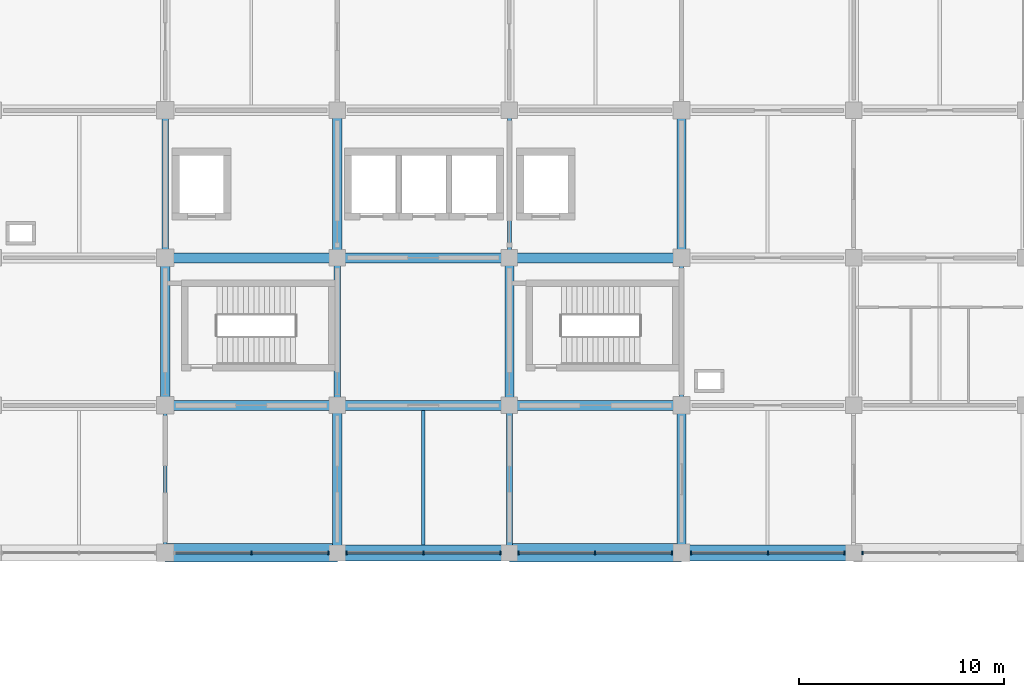
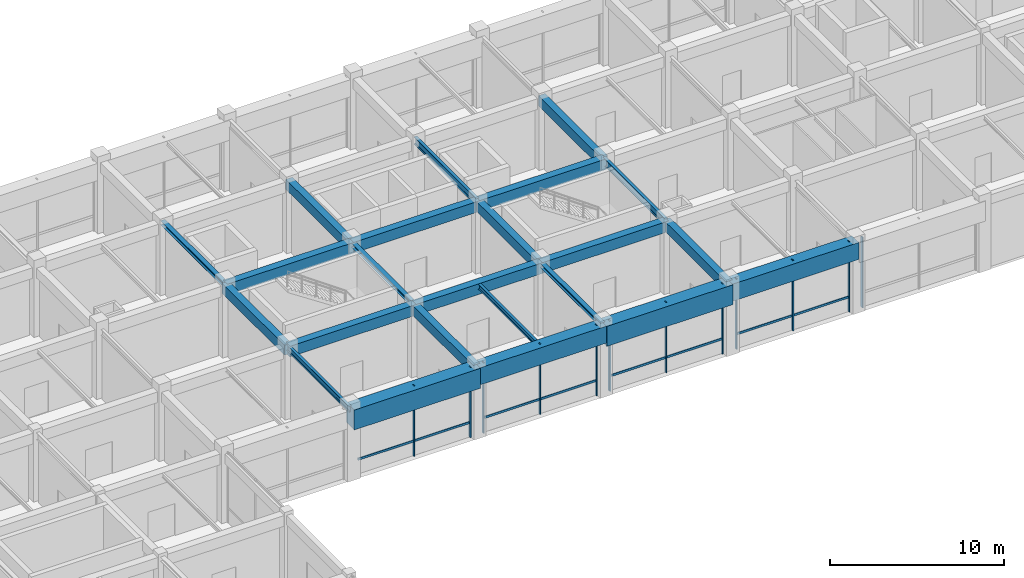
# One storey, part 13 of 38: 23 beams, 20 members, 5 elements without a shape of their own.
"""IFC4 building model written with IfcOpenShell, lengths in metres."""

from ifc_helpers import new_model, si_unit, derived_unit, direction, frame, origin, origin_2d, place, context, subcontext, project, spatial, rectangle, i_section, extrude, material, material_profile, profile_set, type_object, element, aggregate, save


model = new_model("IFC4")

# Units and contexts
model_context = context("Model", 3, precision=1e-05, world=origin(), true_north=direction((0.0, 1.0)))
body_context = subcontext(model_context, "Body", "Model", "MODEL_VIEW")
ifc_project = project(units=[si_unit("LENGTHUNIT", "METRE"), si_unit("AREAUNIT", "SQUARE_METRE"), si_unit("VOLUMEUNIT", "CUBIC_METRE"), si_unit("PLANEANGLEUNIT", "RADIAN"), si_unit("MASSUNIT", "GRAM", prefix="KILO"), derived_unit("THERMALTRANSMITTANCEUNIT", [(si_unit("MASSUNIT", "GRAM", prefix="KILO"), 1), (si_unit("TIMEUNIT", "SECOND"), -3), (si_unit("THERMODYNAMICTEMPERATUREUNIT", "KELVIN"), -1)])], contexts=[model_context])

# Site, building, storey
site_placement = place(None, origin())
site = spatial("IfcSite", under=ifc_project, at=site_placement, CompositionType="ELEMENT")
building_placement = place(site_placement, origin())
building = spatial("IfcBuilding", under=site, at=building_placement, Name="Veldstrom Oceanarium and Marine Research Institute", CompositionType="ELEMENT")
storey_placement = place(building_placement, frame((0.0, 0.0, 16.800048828125)))
storey = spatial("IfcBuildingStorey", under=building, at=storey_placement, Name="L03", CompositionType="ELEMENT", Elevation=16.800048828125)

# Curtain wall, members
ifc_material_1 = material(Name="Anodised Aluminium Framing", Category="aluminium")
curtain_wall_type = type_object("IfcCurtainWallType", Name="ARC-CW-CW02", PredefinedType="USERDEFINED", material=ifc_material_1)
curtain_wall_1_placement = place(storey_placement, origin())
curtain_wall_1 = element("IfcCurtainWall", 1, at=curtain_wall_1_placement, inside=storey, type_object=curtain_wall_type, Name="Curtain Wall CW02 CW-L03-062", ObjectType="Curtain wall", PredefinedType="USERDEFINED")
ifc_material_2 = material(Name="Anodised Aluminium Framing", Category="aluminium")
ifc_material_profile_1 = material_profile(ifc_material_2, rectangle(XDim=0.074951171875, YDim=0.179931640625, at=origin_2d()), Name="ALU-MUL-75x180")
ifc_profile_set_1 = profile_set([ifc_material_profile_1], Name="Anodised Aluminium Framing")
member_type_1 = type_object("IfcMemberType", Name="ARC-MUL-ML1", PredefinedType="MULLION", material=ifc_profile_set_1)
member_1_placement = place(storey_placement, frame((79.8125, 43.199951171875, 0.0), z_axis=(0.0, 0.0, 1.0), x_axis=(1.0, 0.0, 0.0)))
member_1 = element("IfcMember", 2, at=member_1_placement, type_object=member_type_1, Name="Curtain Wall Mullion CW-L03-062-MUL-2", PredefinedType="MULLION", context=body_context, shape_type="SweptSolid", body=[
    extrude(rectangle(XDim=0.074951171875, YDim=0.179931640625, at=origin_2d()), origin(), (0.0, 0.0, 1.0), 4.949951171875),
])
member_2_placement = place(storey_placement, frame((83.56005859375, 43.199951171875, 0.0), z_axis=(0.0, 0.0, 1.0), x_axis=(1.0, 0.0, 0.0)))
member_2 = element("IfcMember", 3, at=member_2_placement, type_object=member_type_1, Name="Curtain Wall Mullion CW-L03-062-MUL-3", PredefinedType="MULLION", context=body_context, shape_type="SweptSolid", body=[
    extrude(rectangle(XDim=0.074951171875, YDim=0.179931640625, at=origin_2d()), origin(), (0.0, 0.0, 1.0), 4.949951171875),
])

curtain_wall_2_placement = place(storey_placement, origin())
curtain_wall_2 = element("IfcCurtainWall", 4, at=curtain_wall_2_placement, inside=storey, type_object=curtain_wall_type, Name="Curtain Wall CW02 CW-L03-064", ObjectType="Curtain wall", PredefinedType="USERDEFINED")
member_3_placement = place(storey_placement, frame((84.43994140625, 43.199951171875, 0.0), z_axis=(0.0, 0.0, 1.0), x_axis=(1.0, 0.0, 0.0)))
member_3 = element("IfcMember", 5, at=member_3_placement, type_object=member_type_1, Name="Curtain Wall Mullion CW-L03-064-MUL-1", PredefinedType="MULLION", context=body_context, shape_type="SweptSolid", body=[
    extrude(rectangle(XDim=0.074951171875, YDim=0.179931640625, at=origin_2d()), origin(), (0.0, 0.0, 1.0), 4.949951171875),
])
member_4_placement = place(storey_placement, frame((88.199951171875, 43.199951171875, 0.0), z_axis=(0.0, 0.0, 1.0), x_axis=(1.0, 0.0, 0.0)))
member_4 = element("IfcMember", 6, at=member_4_placement, type_object=member_type_1, Name="Curtain Wall Mullion CW-L03-064-MUL-2", PredefinedType="MULLION", context=body_context, shape_type="SweptSolid", body=[
    extrude(rectangle(XDim=0.074951171875, YDim=0.179931640625, at=origin_2d()), origin(), (0.0, 0.0, 1.0), 4.949951171875),
])
member_5_placement = place(storey_placement, frame((91.9599609375, 43.199951171875, 0.0), z_axis=(0.0, 0.0, 1.0), x_axis=(1.0, 0.0, 0.0)))
member_5 = element("IfcMember", 7, at=member_5_placement, type_object=member_type_1, Name="Curtain Wall Mullion CW-L03-064-MUL-3", PredefinedType="MULLION", context=body_context, shape_type="SweptSolid", body=[
    extrude(rectangle(XDim=0.074951171875, YDim=0.179931640625, at=origin_2d()), origin(), (0.0, 0.0, 1.0), 4.949951171875),
])

curtain_wall_3_placement = place(storey_placement, origin())
curtain_wall_3 = element("IfcCurtainWall", 8, at=curtain_wall_3_placement, inside=storey, type_object=curtain_wall_type, Name="Curtain Wall CW02 CW-L03-066", ObjectType="Curtain wall", PredefinedType="USERDEFINED")
member_6_placement = place(storey_placement, frame((92.840087890625, 43.199951171875, 0.0), z_axis=(0.0, 0.0, 1.0), x_axis=(1.0, 0.0, 0.0)))
member_6 = element("IfcMember", 9, at=member_6_placement, type_object=member_type_1, Name="Curtain Wall Mullion CW-L03-066-MUL-1", PredefinedType="MULLION", context=body_context, shape_type="SweptSolid", body=[
    extrude(rectangle(XDim=0.074951171875, YDim=0.179931640625, at=origin_2d()), origin(), (0.0, 0.0, 1.0), 4.949951171875),
])
member_7_placement = place(storey_placement, frame((96.58740234375, 43.199951171875, 0.0), z_axis=(0.0, 0.0, 1.0), x_axis=(1.0, 0.0, 0.0)))
member_7 = element("IfcMember", 10, at=member_7_placement, type_object=member_type_1, Name="Curtain Wall Mullion CW-L03-066-MUL-2", PredefinedType="MULLION", context=body_context, shape_type="SweptSolid", body=[
    extrude(rectangle(XDim=0.074951171875, YDim=0.179931640625, at=origin_2d()), origin(), (0.0, 0.0, 1.0), 4.949951171875),
])
member_8_placement = place(storey_placement, frame((100.3349609375, 43.199951171875, 0.0), z_axis=(0.0, 0.0, 1.0), x_axis=(1.0, 0.0, 0.0)))
member_8 = element("IfcMember", 11, at=member_8_placement, type_object=member_type_1, Name="Curtain Wall Mullion CW-L03-066-MUL-3", PredefinedType="MULLION", context=body_context, shape_type="SweptSolid", body=[
    extrude(rectangle(XDim=0.074951171875, YDim=0.179931640625, at=origin_2d()), origin(), (0.0, 0.0, 1.0), 4.949951171875),
])

curtain_wall_4_placement = place(storey_placement, origin())
curtain_wall_4 = element("IfcCurtainWall", 12, at=curtain_wall_4_placement, inside=storey, type_object=curtain_wall_type, Name="Curtain Wall CW02 CW-L03-068", ObjectType="Curtain wall", PredefinedType="USERDEFINED")
member_9_placement = place(storey_placement, frame((101.264892578125, 43.199951171875, 0.0), z_axis=(0.0, 0.0, 1.0), x_axis=(1.0, 0.0, 0.0)))
member_9 = element("IfcMember", 13, at=member_9_placement, type_object=member_type_1, Name="Curtain Wall Mullion CW-L03-068-MUL-1", PredefinedType="MULLION", context=body_context, shape_type="SweptSolid", body=[
    extrude(rectangle(XDim=0.074951171875, YDim=0.179931640625, at=origin_2d()), origin(), (0.0, 0.0, 1.0), 4.949951171875),
])
member_10_placement = place(storey_placement, frame((105.012451171875, 43.199951171875, 0.0), z_axis=(0.0, 0.0, 1.0), x_axis=(1.0, 0.0, 0.0)))
member_10 = element("IfcMember", 14, at=member_10_placement, type_object=member_type_1, Name="Curtain Wall Mullion CW-L03-068-MUL-2", PredefinedType="MULLION", context=body_context, shape_type="SweptSolid", body=[
    extrude(rectangle(XDim=0.074951171875, YDim=0.179931640625, at=origin_2d()), origin(), (0.0, 0.0, 1.0), 4.949951171875),
])
member_11_placement = place(storey_placement, frame((108.760009765625, 43.199951171875, 0.0), z_axis=(0.0, 0.0, 1.0), x_axis=(1.0, 0.0, 0.0)))
member_11 = element("IfcMember", 15, at=member_11_placement, type_object=member_type_1, Name="Curtain Wall Mullion CW-L03-068-MUL-3", PredefinedType="MULLION", context=body_context, shape_type="SweptSolid", body=[
    extrude(rectangle(XDim=0.074951171875, YDim=0.179931640625, at=origin_2d()), origin(), (0.0, 0.0, 1.0), 4.949951171875),
])

# Curtain wall, member
curtain_wall_5_placement = place(storey_placement, origin())
curtain_wall_5 = element("IfcCurtainWall", 16, at=curtain_wall_5_placement, inside=storey, type_object=curtain_wall_type, Name="Curtain Wall CW02 CW-L03-070", ObjectType="Curtain wall", PredefinedType="USERDEFINED")
member_12_placement = place(storey_placement, frame((109.639892578125, 43.199951171875, 0.0), z_axis=(0.0, 0.0, 1.0), x_axis=(1.0, 0.0, 0.0)))
member_12 = element("IfcMember", 17, at=member_12_placement, type_object=member_type_1, Name="Curtain Wall Mullion CW-L03-070-MUL-1", PredefinedType="MULLION", context=body_context, shape_type="SweptSolid", body=[
    extrude(rectangle(XDim=0.074951171875, YDim=0.179931640625, at=origin_2d()), origin(), (0.0, 0.0, 1.0), 4.949951171875),
])
aggregate(curtain_wall_5, [member_12])

# Member
ifc_material_3 = material(Name="Anodised Aluminium Framing", Category="aluminium")
ifc_material_profile_2 = material_profile(ifc_material_3, rectangle(XDim=0.074951171875, YDim=0.14990234375, at=origin_2d()), Name="ALU-TRN-75x150")
ifc_profile_set_2 = profile_set([ifc_material_profile_2], Name="Anodised Aluminium Framing")
member_type_2 = type_object("IfcMemberType", Name="ARC-TRN-TR1", PredefinedType="USERDEFINED", material=ifc_profile_set_2)
member_13_placement = place(storey_placement, frame((76.10498046875, 43.199951171875, 1.050048828125), z_axis=(1.0, 0.0, 0.0), x_axis=(0.0, 1.0, 0.0)))
member_13 = element("IfcMember", 18, at=member_13_placement, type_object=member_type_2, Name="Curtain Wall Transom CW-L03-062-TRN-1", ObjectType="Transom", PredefinedType="USERDEFINED", context=body_context, shape_type="SweptSolid", body=[
    extrude(rectangle(XDim=0.074951171875, YDim=0.14990234375, at=origin_2d()), origin(), (0.0, 0.0, 1.0), 3.66748046875),
])

member_14_placement = place(storey_placement, frame((79.8525390625, 43.199951171875, 1.050048828125), z_axis=(1.0, 0.0, 0.0), x_axis=(0.0, 1.0, 0.0)))
member_14 = element("IfcMember", 19, at=member_14_placement, type_object=member_type_2, Name="Curtain Wall Transom CW-L03-062-TRN-2", ObjectType="Transom", PredefinedType="USERDEFINED", context=body_context, shape_type="SweptSolid", body=[
    extrude(rectangle(XDim=0.074951171875, YDim=0.14990234375, at=origin_2d()), origin(), (0.0, 0.0, 1.0), 3.66748046875),
])

aggregate(curtain_wall_1, [member_1, member_2, member_13, member_14])

member_15_placement = place(storey_placement, frame((84.47998046875, 43.199951171875, 1.050048828125), z_axis=(1.0, 0.0, 0.0), x_axis=(0.0, 1.0, 0.0)))
member_15 = element("IfcMember", 20, at=member_15_placement, type_object=member_type_2, Name="Curtain Wall Transom CW-L03-064-TRN-1", ObjectType="Transom", PredefinedType="USERDEFINED", context=body_context, shape_type="SweptSolid", body=[
    extrude(rectangle(XDim=0.074951171875, YDim=0.14990234375, at=origin_2d()), origin(), (0.0, 0.0, 1.0), 3.679931640625),
])

member_16_placement = place(storey_placement, frame((88.239990234375, 43.199951171875, 1.050048828125), z_axis=(1.0, 0.0, 0.0), x_axis=(0.0, 1.0, 0.0)))
member_16 = element("IfcMember", 21, at=member_16_placement, type_object=member_type_2, Name="Curtain Wall Transom CW-L03-064-TRN-2", ObjectType="Transom", PredefinedType="USERDEFINED", context=body_context, shape_type="SweptSolid", body=[
    extrude(rectangle(XDim=0.074951171875, YDim=0.14990234375, at=origin_2d()), origin(), (0.0, 0.0, 1.0), 3.679931640625),
])

aggregate(curtain_wall_2, [member_3, member_4, member_5, member_15, member_16])

member_17_placement = place(storey_placement, frame((92.8798828125, 43.199951171875, 1.050048828125), z_axis=(1.0, 0.0, 0.0), x_axis=(0.0, 1.0, 0.0)))
member_17 = element("IfcMember", 22, at=member_17_placement, type_object=member_type_2, Name="Curtain Wall Transom CW-L03-066-TRN-1", ObjectType="Transom", PredefinedType="USERDEFINED", context=body_context, shape_type="SweptSolid", body=[
    extrude(rectangle(XDim=0.074951171875, YDim=0.14990234375, at=origin_2d()), origin(), (0.0, 0.0, 1.0), 3.667724609375),
])

member_18_placement = place(storey_placement, frame((96.62744140625, 43.199951171875, 1.050048828125), z_axis=(1.0, 0.0, 0.0), x_axis=(0.0, 1.0, 0.0)))
member_18 = element("IfcMember", 23, at=member_18_placement, type_object=member_type_2, Name="Curtain Wall Transom CW-L03-066-TRN-2", ObjectType="Transom", PredefinedType="USERDEFINED", context=body_context, shape_type="SweptSolid", body=[
    extrude(rectangle(XDim=0.074951171875, YDim=0.14990234375, at=origin_2d()), origin(), (0.0, 0.0, 1.0), 3.66748046875),
])

aggregate(curtain_wall_3, [member_6, member_7, member_8, member_17, member_18])

member_19_placement = place(storey_placement, frame((101.304931640625, 43.199951171875, 1.050048828125), z_axis=(1.0, 0.0, 0.0), x_axis=(0.0, 1.0, 0.0)))
member_19 = element("IfcMember", 24, at=member_19_placement, type_object=member_type_2, Name="Curtain Wall Transom CW-L03-068-TRN-1", ObjectType="Transom", PredefinedType="USERDEFINED", context=body_context, shape_type="SweptSolid", body=[
    extrude(rectangle(XDim=0.074951171875, YDim=0.14990234375, at=origin_2d()), origin(), (0.0, 0.0, 1.0), 3.66748046875),
])

member_20_placement = place(storey_placement, frame((105.052490234375, 43.199951171875, 1.050048828125), z_axis=(1.0, 0.0, 0.0), x_axis=(0.0, 1.0, 0.0)))
member_20 = element("IfcMember", 25, at=member_20_placement, type_object=member_type_2, Name="Curtain Wall Transom CW-L03-068-TRN-2", ObjectType="Transom", PredefinedType="USERDEFINED", context=body_context, shape_type="SweptSolid", body=[
    extrude(rectangle(XDim=0.074951171875, YDim=0.14990234375, at=origin_2d()), origin(), (0.0, 0.0, 1.0), 3.66748046875),
])

aggregate(curtain_wall_4, [member_9, member_10, member_11, member_19, member_20])

# Beams
ifc_material_4 = material(Name="Concrete C40/50", Category="concrete")
ifc_material_profile_3 = material_profile(ifc_material_4, rectangle(XDim=0.5, YDim=0.75, at=origin_2d()), Name="RC-BM-500x750")
ifc_profile_set_3 = profile_set([ifc_material_profile_3], Name="Concrete C40/50")
beam_type_1 = type_object("IfcBeamType", Name="STR-BM-B03", PredefinedType="BEAM", material=ifc_profile_set_3)
for number, where, z_axis, x_axis, name in (
    (26, (75.60009765625, 50.39990234375, 4.570068359375), (1.0, 0.0, 0.0), (0.0, 1.0, 0.0), "Primary Beam B03 L03-1900"),
    (27, (75.60009765625, 57.60009765625, 4.570068359375), (1.0, 0.0, 0.0), (0.0, 1.0, 0.0), "Primary Beam B03 L03-1901"),
    (28, (84.0, 50.39990234375, 4.570068359375), (1.0, 0.0, 0.0), (0.0, 1.0, 0.0), "Primary Beam B03 L03-1905"),
    (29, (84.0, 57.60009765625, 4.570068359375), (1.0, 0.0, 0.0), (0.0, 1.0, 0.0), "Primary Beam B03 L03-1906"),
):
    element("IfcBeam", number, at=place(storey_placement, frame(where, z_axis=z_axis, x_axis=x_axis)), inside=storey, type_object=beam_type_1, Name=name, PredefinedType="BEAM", context=body_context, shape_type="SweptSolid", body=[
        extrude(rectangle(XDim=0.5, YDim=0.75, at=origin_2d()), origin(), (0.0, 0.0, 1.0), 8.39990234375),
    ])
for number, where, z_axis, x_axis, name in (
    (30, (92.39990234375, 50.39990234375, 4.570068359375), (1.0, 0.0, 0.0), (0.0, 1.0, 0.0), "Primary Beam B03 L03-1910"),
    (31, (92.39990234375, 57.60009765625, 4.570068359375), (1.0, 0.0, 0.0), (0.0, 1.0, 0.0), "Primary Beam B03 L03-1911"),
):
    element("IfcBeam", number, at=place(storey_placement, frame(where, z_axis=z_axis, x_axis=x_axis)), inside=storey, type_object=beam_type_1, Name=name, PredefinedType="BEAM", context=body_context, shape_type="SweptSolid", body=[
        extrude(rectangle(XDim=0.5, YDim=0.75, at=origin_2d()), origin(), (0.0, 0.0, 1.0), 8.400146484375),
    ])
ifc_material_5 = material(Name="Concrete C40/50", Category="concrete")
ifc_material_profile_4 = material_profile(ifc_material_5, rectangle(XDim=0.449951171875, YDim=0.699951171875, at=origin_2d()), Name="RC-BM-450x700")
ifc_profile_set_4 = profile_set([ifc_material_profile_4], Name="Concrete C40/50")
beam_type_2 = type_object("IfcBeamType", Name="STR-BM-B04", PredefinedType="BEAM", material=ifc_profile_set_4)
beam_1_placement = place(storey_placement, frame((75.60009765625, 50.39990234375, 4.594970703125), z_axis=(0.0, 1.0, 0.0), x_axis=(-1.0, 0.0, 0.0)))
element("IfcBeam", 32, at=beam_1_placement, inside=storey, type_object=beam_type_2, Name="Primary Beam B04 L03-2009", PredefinedType="BEAM", context=body_context, shape_type="SweptSolid", body=[
    extrude(rectangle(XDim=0.449951171875, YDim=0.699951171875, at=origin_2d()), origin(), (0.0, 0.0, 1.0), 7.2001953125),
])
for number, where, z_axis, x_axis, name in (
    (33, (84.0, 43.199951171875, 4.594970703125), (0.0, 1.0, 0.0), (-1.0, 0.0, 0.0), "Primary Beam B04 L03-2012"),
    (34, (84.0, 57.60009765625, 4.594970703125), (0.0, 1.0, 0.0), (-1.0, 0.0, 0.0), "Primary Beam B04 L03-2014"),
):
    element("IfcBeam", number, at=place(storey_placement, frame(where, z_axis=z_axis, x_axis=x_axis)), inside=storey, type_object=beam_type_2, Name=name, PredefinedType="BEAM", context=body_context, shape_type="SweptSolid", body=[
        extrude(rectangle(XDim=0.449951171875, YDim=0.699951171875, at=origin_2d()), origin(), (0.0, 0.0, 1.0), 7.199951171875),
    ])
beam_2_placement = place(storey_placement, frame((92.39990234375, 50.39990234375, 4.594970703125), z_axis=(0.0, 1.0, 0.0), x_axis=(-1.0, 0.0, 0.0)))
element("IfcBeam", 35, at=beam_2_placement, inside=storey, type_object=beam_type_2, Name="Primary Beam B04 L03-2017", PredefinedType="BEAM", context=body_context, shape_type="SweptSolid", body=[
    extrude(rectangle(XDim=0.449951171875, YDim=0.699951171875, at=origin_2d()), origin(), (0.0, 0.0, 1.0), 7.2001953125),
])
for number, where, z_axis, x_axis, name in (
    (36, (100.800048828125, 43.199951171875, 4.594970703125), (0.0, 1.0, 0.0), (-1.0, 0.0, 0.0), "Primary Beam B04 L03-2020"),
    (37, (100.800048828125, 57.60009765625, 4.594970703125), (0.0, 1.0, 0.0), (-1.0, 0.0, 0.0), "Primary Beam B04 L03-2022"),
):
    element("IfcBeam", number, at=place(storey_placement, frame(where, z_axis=z_axis, x_axis=x_axis)), inside=storey, type_object=beam_type_2, Name=name, PredefinedType="BEAM", context=body_context, shape_type="SweptSolid", body=[
        extrude(rectangle(XDim=0.449951171875, YDim=0.699951171875, at=origin_2d()), origin(), (0.0, 0.0, 1.0), 7.199951171875),
    ])
ifc_material_6 = material(Name="Steel S355JR", Category="steel")
ifc_material_profile_5 = material_profile(ifc_material_6, i_section(OverallWidth=0.300048828125, OverallDepth=0.2900390625, WebThickness=0.008544921875, FlangeThickness=0.013916015625, FilletRadius=0.027099609375, at=origin_2d()), Name="HEA 300")
ifc_profile_set_5 = profile_set([ifc_material_profile_5], Name="Steel S355JR")
beam_type_3 = type_object("IfcBeamType", Name="STR-BM-SB10", PredefinedType="BEAM", material=ifc_profile_set_5)
beam_3_placement = place(storey_placement, frame((75.60009765625, 57.60009765625, 4.800048828125), z_axis=(0.0, 1.0, 0.0), x_axis=(-1.0, 0.0, 0.0)))
element("IfcBeam", 38, at=beam_3_placement, inside=storey, type_object=beam_type_3, Name="Steel Tie Beam SB10 L03-2010", PredefinedType="BEAM", context=body_context, shape_type="SweptSolid", body=[
    extrude(i_section(OverallWidth=0.300048828125, OverallDepth=0.2900390625, WebThickness=0.008544921875, FlangeThickness=0.013916015625, FilletRadius=0.027099609375, at=origin_2d()), origin(), (0.0, 0.0, 1.0), 7.199951171875),
])
beam_4_placement = place(storey_placement, frame((84.0, 50.39990234375, 4.800048828125), z_axis=(0.0, 1.0, 0.0), x_axis=(-1.0, 0.0, 0.0)))
element("IfcBeam", 39, at=beam_4_placement, inside=storey, type_object=beam_type_3, Name="Steel Tie Beam SB10 L03-2013", PredefinedType="BEAM", context=body_context, shape_type="SweptSolid", body=[
    extrude(i_section(OverallWidth=0.300048828125, OverallDepth=0.2900390625, WebThickness=0.008544921875, FlangeThickness=0.013916015625, FilletRadius=0.027099609375, at=origin_2d()), origin(), (0.0, 0.0, 1.0), 7.2001953125),
])
beam_5_placement = place(storey_placement, frame((92.39990234375, 43.199951171875, 4.800048828125), z_axis=(0.0, 1.0, 0.0), x_axis=(-1.0, 0.0, 0.0)))
element("IfcBeam", 40, at=beam_5_placement, inside=storey, type_object=beam_type_3, Name="Steel Tie Beam SB10 L03-2016", PredefinedType="BEAM", context=body_context, shape_type="SweptSolid", body=[
    extrude(i_section(OverallWidth=0.300048828125, OverallDepth=0.2900390625, WebThickness=0.008544921875, FlangeThickness=0.013916015625, FilletRadius=0.027099609375, at=origin_2d()), origin(), (0.0, 0.0, 1.0), 7.199951171875),
])
ifc_material_7 = material(Name="Steel S355JR", Category="steel")
ifc_material_profile_6 = material_profile(ifc_material_7, i_section(OverallWidth=0.199951171875, OverallDepth=0.5, WebThickness=0.01025390625, FlangeThickness=0.01611328125, FilletRadius=0.02099609375, at=origin_2d()), Name="IPE 500")
ifc_profile_set_6 = profile_set([ifc_material_profile_6], Name="Steel S355JR")
beam_type_4 = type_object("IfcBeamType", Name="STR-BM-SB6", PredefinedType="BEAM", material=ifc_profile_set_6)
beam_6_placement = place(storey_placement, frame((92.39990234375, 57.60009765625, 4.695068359375), z_axis=(0.0, 1.0, 0.0), x_axis=(-1.0, 0.0, 0.0)))
element("IfcBeam", 41, at=beam_6_placement, inside=storey, type_object=beam_type_4, Name="Steel Tie Beam SB6 L03-2018", PredefinedType="BEAM", context=body_context, shape_type="SweptSolid", body=[
    extrude(i_section(OverallWidth=0.199951171875, OverallDepth=0.5, WebThickness=0.01025390625, FlangeThickness=0.01611328125, FilletRadius=0.02099609375, at=origin_2d()), origin(), (0.0, 0.0, 1.0), 7.199951171875),
])
beam_7_placement = place(storey_placement, frame((100.800048828125, 50.39990234375, 4.695068359375), z_axis=(0.0, 1.0, 0.0), x_axis=(-1.0, 0.0, 0.0)))
element("IfcBeam", 42, at=beam_7_placement, inside=storey, type_object=beam_type_4, Name="Steel Tie Beam SB6 L03-2021", PredefinedType="BEAM", context=body_context, shape_type="SweptSolid", body=[
    extrude(i_section(OverallWidth=0.199951171875, OverallDepth=0.5, WebThickness=0.01025390625, FlangeThickness=0.01611328125, FilletRadius=0.02099609375, at=origin_2d()), origin(), (0.0, 0.0, 1.0), 7.2001953125),
])
ifc_material_8 = material(Name="Steel S355JR", Category="steel")
ifc_material_profile_7 = material_profile(ifc_material_8, i_section(OverallWidth=0.179931640625, OverallDepth=0.39990234375, WebThickness=0.008544921875, FlangeThickness=0.013427734375, FilletRadius=0.02099609375, at=origin_2d()), Name="IPE 400")
ifc_profile_set_7 = profile_set([ifc_material_profile_7], Name="Steel S355JR")
beam_type_5 = type_object("IfcBeamType", Name="STR-BM-SB8", PredefinedType="BEAM", material=ifc_profile_set_7)
beam_8_placement = place(storey_placement, frame((75.60009765625, 43.199951171875, 4.744873046875), z_axis=(0.0, 1.0, 0.0), x_axis=(-1.0, 0.0, 0.0)))
element("IfcBeam", 43, at=beam_8_placement, inside=storey, type_object=beam_type_5, Name="Steel Tie Beam SB8 L03-2008", PredefinedType="BEAM", context=body_context, shape_type="SweptSolid", body=[
    extrude(i_section(OverallWidth=0.179931640625, OverallDepth=0.39990234375, WebThickness=0.008544921875, FlangeThickness=0.013427734375, FilletRadius=0.02099609375, at=origin_2d()), origin(), (0.0, 0.0, 1.0), 7.199951171875),
])
ifc_material_9 = material(Name="Steel S355JR", Category="steel")
ifc_material_profile_8 = material_profile(ifc_material_9, i_section(OverallWidth=0.169921875, OverallDepth=0.360107421875, WebThickness=0.008056640625, FlangeThickness=0.0126953125, FilletRadius=0.01806640625, at=origin_2d()), Name="IPE 360")
ifc_profile_set_8 = profile_set([ifc_material_profile_8], Name="Steel S355JR")
beam_type_6 = type_object("IfcBeamType", Name="STR-JST-SJ1", PredefinedType="JOIST", material=ifc_profile_set_8)
beam_9_placement = place(storey_placement, frame((88.199951171875, 43.60009765625, 4.764892578125), z_axis=(0.0, 1.0, 0.0), x_axis=(-1.0, 0.0, 0.0)))
element("IfcBeam", 44, at=beam_9_placement, inside=storey, type_object=beam_type_6, Name="Secondary Joist SJ1 L03-2079", PredefinedType="JOIST", context=body_context, shape_type="SweptSolid", body=[
    extrude(i_section(OverallWidth=0.169921875, OverallDepth=0.360107421875, WebThickness=0.008056640625, FlangeThickness=0.0126953125, FilletRadius=0.01806640625, at=origin_2d()), origin(), (0.0, 0.0, 1.0), 6.5498046875),
])
ifc_material_10 = material(Name="Concrete C50/60", Category="concrete")
ifc_material_profile_9 = material_profile(ifc_material_10, rectangle(XDim=0.800048828125, YDim=1.199951171875, at=origin_2d()), Name="RC-TG-800x1200")
ifc_profile_set_9 = profile_set([ifc_material_profile_9], Name="Concrete C50/60")
beam_type_7 = type_object("IfcBeamType", Name="STR-TG-TG1", PredefinedType="BEAM", material=ifc_profile_set_9)
for number, where, z_axis, x_axis, name in (
    (45, (84.0, 43.199951171875, 4.344970703125), (1.0, 0.0, 0.0), (0.0, 1.0, 0.0), "Transfer Girder TG1 L03-1904"),
    (46, (100.800048828125, 43.199951171875, 4.344970703125), (1.0, 0.0, 0.0), (0.0, 1.0, 0.0), "Transfer Girder TG1 L03-1914"),
):
    element("IfcBeam", number, at=place(storey_placement, frame(where, z_axis=z_axis, x_axis=x_axis)), inside=storey, type_object=beam_type_7, Name=name, PredefinedType="BEAM", context=body_context, shape_type="SweptSolid", body=[
        extrude(rectangle(XDim=0.800048828125, YDim=1.199951171875, at=origin_2d()), origin(), (0.0, 0.0, 1.0), 8.39990234375),
    ])
ifc_material_11 = material(Name="Concrete C50/60", Category="concrete")
ifc_material_profile_10 = material_profile(ifc_material_11, rectangle(XDim=0.89990234375, YDim=1.39990234375, at=origin_2d()), Name="RC-TG-900x1400")
ifc_profile_set_10 = profile_set([ifc_material_profile_10], Name="Concrete C50/60")
beam_type_8 = type_object("IfcBeamType", Name="STR-TG-TG2", PredefinedType="BEAM", material=ifc_profile_set_10)
beam_10_placement = place(storey_placement, frame((75.60009765625, 43.199951171875, 4.244873046875), z_axis=(1.0, 0.0, 0.0), x_axis=(0.0, 1.0, 0.0)))
element("IfcBeam", 47, at=beam_10_placement, inside=storey, type_object=beam_type_8, Name="Transfer Girder TG2 L03-1899", PredefinedType="BEAM", context=body_context, shape_type="SweptSolid", body=[
    extrude(rectangle(XDim=0.89990234375, YDim=1.39990234375, at=origin_2d()), origin(), (0.0, 0.0, 1.0), 8.39990234375),
])
beam_11_placement = place(storey_placement, frame((92.39990234375, 43.199951171875, 4.244873046875), z_axis=(1.0, 0.0, 0.0), x_axis=(0.0, 1.0, 0.0)))
element("IfcBeam", 48, at=beam_11_placement, inside=storey, type_object=beam_type_8, Name="Transfer Girder TG2 L03-1909", PredefinedType="BEAM", context=body_context, shape_type="SweptSolid", body=[
    extrude(rectangle(XDim=0.89990234375, YDim=1.39990234375, at=origin_2d()), origin(), (0.0, 0.0, 1.0), 8.400146484375),
])

save(model, "model.ifc")
